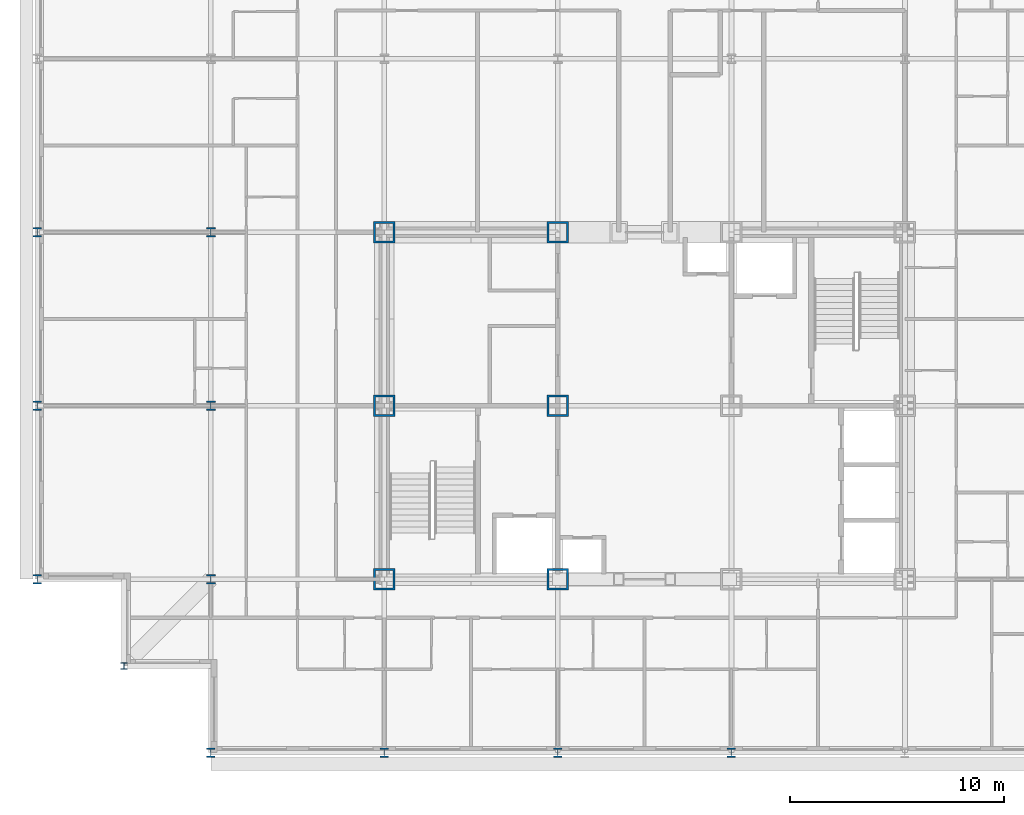
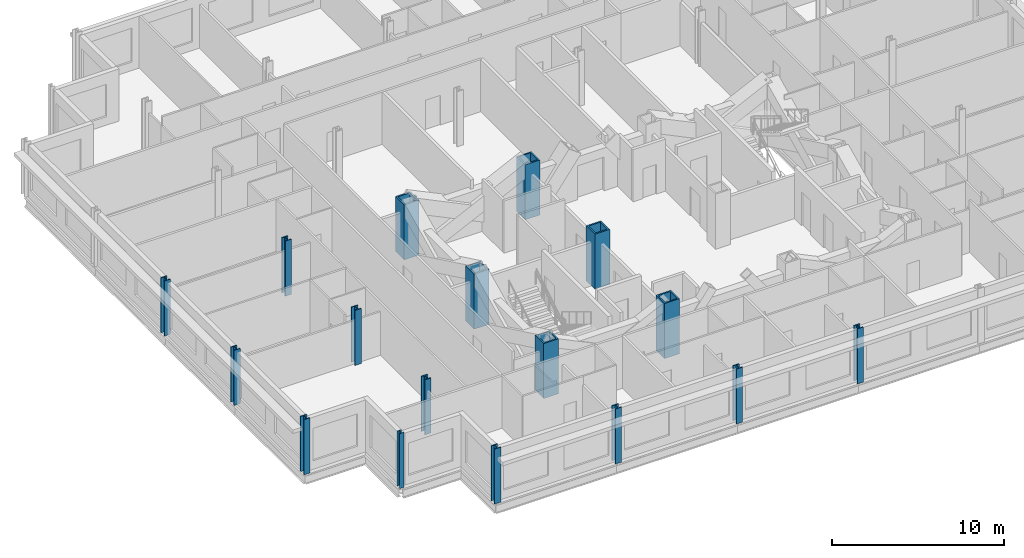
# One storey, part 1 of 15: 17 columns.
"""IFC4 building model written with IfcOpenShell, lengths in metres."""

import ifcopenshell
import ifcopenshell.guid

model = None  # the IFC model being written
_history = None  # IfcOwnerHistory: only IFC2X3 demands one
_inside = {}  # id of a spatial element -> (the spatial element, [elements in it])
_under = {}  # id of a project, library or spatial element -> (it, [spatial elements below it])
_declared = {}  # id of a project -> (the project, [libraries it declares])
_typed = {}  # id of a type object -> (the type object, [elements of that type])
_made_of = {}  # id of a material, layer set ... -> (it, [elements and type objects made of it])


def new_model(schema):
    """Start an empty IFC model of exactly this schema.

    Asked for "IFC4X3", IfcOpenShell would pick the latest addendum, in which some entities
    have other attributes; the version numbers below select the first issue.
    IFC2X3 requires an IfcOwnerHistory on every rooted entity: one is made here for all.
    """
    global model, _history
    if schema == "IFC4X3":
        model = ifcopenshell.file(schema_version=(4, 3, 0, 0))
    else:
        model = ifcopenshell.file(schema=schema)
    _inside.clear()
    _under.clear()
    _declared.clear()
    _typed.clear()
    _made_of.clear()
    _history = None
    if model.schema == "IFC2X3":
        org = make("IfcOrganization", Name="unknown")
        user = make(
            "IfcPersonAndOrganization",
            ThePerson=make("IfcPerson", FamilyName="unknown"),
            TheOrganization=org,
        )
        app = make(
            "IfcApplication",
            ApplicationDeveloper=org,
            Version="unknown",
            ApplicationFullName="unknown",
            ApplicationIdentifier="unknown",
        )
        _history = make(
            "IfcOwnerHistory",
            OwningUser=user,
            OwningApplication=app,
            ChangeAction="ADDED",
            CreationDate=0,
        )
    return model


def make(cls, **values):
    """One entity of the class cls with the attributes given. An attribute that is None is left unset."""
    return model.create_entity(
        cls, **{name: value for name, value in values.items() if value is not None}
    )


def rooted(cls, **values):
    """An entity with a GlobalId (a new one), such as an element, a storey or a relation."""
    return make(cls, GlobalId=ifcopenshell.guid.new(), OwnerHistory=_history, **values)


def si_unit(unit_type, name, prefix=None):
    """IfcSIUnit, for example si_unit("LENGTHUNIT", "METRE", prefix="MILLI")."""
    return make("IfcSIUnit", UnitType=unit_type, Prefix=prefix, Name=name)


def assignment(units):
    """IfcUnitAssignment: the units of a project."""
    return None if units is None else make("IfcUnitAssignment", Units=units)


def point(xyz):
    """IfcCartesianPoint."""
    return None if xyz is None else make("IfcCartesianPoint", Coordinates=xyz)


def direction(xyz):
    """IfcDirection."""
    return None if xyz is None else make("IfcDirection", DirectionRatios=xyz)


def frame(location, z_axis=None, x_axis=None):
    """IfcAxis2Placement3D, a coordinate frame: its origin and axes. An axis left out is left unset."""
    return make(
        "IfcAxis2Placement3D",
        Location=point(location),
        Axis=direction(z_axis),
        RefDirection=direction(x_axis),
    )


def frame_2d(location, x_axis=None):
    """IfcAxis2Placement2D, a coordinate frame in the plane: its origin and x axis."""
    return make(
        "IfcAxis2Placement2D", Location=point(location), RefDirection=direction(x_axis)
    )


def origin():
    """The frame at (0, 0, 0) with its axes left unset."""
    return frame((0.0, 0.0, 0.0))


def origin_2d():
    """The frame at (0, 0) in the plane with its x axis left unset."""
    return frame_2d((0.0, 0.0))


def place(relative_to, where):
    """IfcLocalPlacement: puts the frame where relative to a parent placement (None: the world)."""
    return make(
        "IfcLocalPlacement", PlacementRelTo=relative_to, RelativePlacement=where
    )


def context(
    kind, dimensions, precision=None, world=None, true_north=None, identifier=None
):
    """IfcGeometricRepresentationContext, for example the 3D "Model" context."""
    return make(
        "IfcGeometricRepresentationContext",
        ContextIdentifier=identifier,
        ContextType=kind,
        CoordinateSpaceDimension=dimensions,
        Precision=precision,
        WorldCoordinateSystem=world,
        TrueNorth=true_north,
    )


def subcontext(parent, identifier, kind, view, scale=None):
    """IfcGeometricRepresentationSubContext, for example "Body" below "Model"."""
    return make(
        "IfcGeometricRepresentationSubContext",
        ContextIdentifier=identifier,
        ContextType=kind,
        ParentContext=parent,
        TargetScale=scale,
        TargetView=view,
    )


def project(units=None, contexts=None):
    """IfcProject with its units and contexts."""
    return rooted(
        "IfcProject",
        Name="project",
        RepresentationContexts=contexts,
        UnitsInContext=assignment(units),
    )


def spatial(cls, under=None, at=None, **own):
    """A site, building, storey or space (cls), placed at a placement, below another one or the project."""
    s = rooted(cls, ObjectPlacement=at, **own)
    if under is not None:
        _under.setdefault(under.id(), (under, []))[1].append(s)
    return s


def profile(cls, at=None, kind="AREA", **sizes):
    """A parametric profile (cls). Its sizes go by their IFC names, for example OverallWidth=200.0."""
    return make(cls, ProfileType=kind, Position=at, **sizes)


def hollow_rectangle(**sizes):
    """IfcRectangleHollowProfileDef."""
    return profile("IfcRectangleHollowProfileDef", **sizes)


def i_section(**sizes):
    """IfcIShapeProfileDef."""
    return profile("IfcIShapeProfileDef", **sizes)


def extrude(swept, where, along, depth):
    """IfcExtrudedAreaSolid: the profile swept, set in the frame where, extruded along a direction by depth."""
    return make(
        "IfcExtrudedAreaSolid",
        SweptArea=swept,
        Position=where,
        ExtrudedDirection=direction(along),
        Depth=depth,
    )


def shape(context_of_items, identifier, shape_type, items):
    """IfcShapeRepresentation: the items that make up one representation, for example the "Body"."""
    return make(
        "IfcShapeRepresentation",
        ContextOfItems=context_of_items,
        RepresentationIdentifier=identifier,
        RepresentationType=shape_type,
        Items=items,
    )


def material(Name=None, Category=None):
    """IfcMaterial."""
    return make("IfcMaterial", Name=Name, Category=Category)


def material_profile(
    of_material, cross_section, Name=None, Category=None, Priority=None
):
    """IfcMaterialProfile: a cross section and its material."""
    return make(
        "IfcMaterialProfile",
        Name=Name,
        Material=of_material,
        Profile=cross_section,
        Priority=Priority,
        Category=Category,
    )


def profile_set(profiles, Name=None, composite=None):
    """IfcMaterialProfileSet."""
    return make(
        "IfcMaterialProfileSet",
        Name=Name,
        MaterialProfiles=profiles,
        CompositeProfile=composite,
    )


def made_of(thing, what):
    """Note that an element or type object is made of a material, layer set ...; save() writes the relation."""
    if what is not None:
        _made_of.setdefault(what.id(), (what, []))[1].append(thing)
    return thing


def type_object(cls, material=None, **own):
    """A type object (cls), such as IfcWallType, which elements share."""
    return made_of(rooted(cls, **own), material)


def element(
    cls,
    number,
    at=None,
    inside=None,
    cuts=None,
    type_object=None,
    material=None,
    context=None,
    identifier="Body",
    shape_type=None,
    held_by="IfcProductDefinitionShape",
    body=None,
    shapes=None,
    **own,
):
    """One element of the class cls, such as IfcWall. Its Tag is "e" and its number.

    at: its placement. inside: the storey or other place that contains it. cuts: it is an
    opening in that element (IfcRelVoidsElement). A single representation is given by context,
    identifier, shape_type and body (its items); several are given by shapes. held_by: the class
    of the entity that holds the representations. save() writes the other relations.
    """
    e = rooted(cls, Tag="e%d" % number, ObjectPlacement=at, **own)
    if body is not None:
        shapes = [shape(context, identifier, shape_type, body)]
    if shapes is not None:
        e.Representation = make(held_by, Representations=shapes)
    if inside is not None:
        _inside.setdefault(inside.id(), (inside, []))[1].append(e)
    if cuts is not None:
        rooted(
            "IfcRelVoidsElement", RelatingBuildingElement=cuts, RelatedOpeningElement=e
        )
    if type_object is not None:
        _typed.setdefault(type_object.id(), (type_object, []))[1].append(e)
    return made_of(e, material)


def aggregate(whole, parts):
    """IfcRelAggregates: a whole, such as a stair, and the parts it consists of."""
    return rooted("IfcRelAggregates", RelatingObject=whole, RelatedObjects=parts)


def save(model, path):
    """Write the relations noted so far, then the file.

    IfcRelAggregates (storeys below a building ...), IfcRelContainedInSpatialStructure (elements
    in a storey), IfcRelDefinesByType, IfcRelAssociatesMaterial and IfcRelDeclares: one each for
    every whole, place, type object, material and project.
    """
    for whole, parts in _under.values():
        aggregate(whole, parts)
    for where, things in _inside.values():
        rooted(
            "IfcRelContainedInSpatialStructure",
            RelatedElements=things,
            RelatingStructure=where,
        )
    for kind, things in _typed.values():
        rooted("IfcRelDefinesByType", RelatedObjects=things, RelatingType=kind)
    for what, things in _made_of.values():
        rooted("IfcRelAssociatesMaterial", RelatedObjects=things, RelatingMaterial=what)
    for by, libraries in _declared.values():
        rooted("IfcRelDeclares", RelatingContext=by, RelatedDefinitions=libraries)
    model.write(path)


model = new_model("IFC4")

# Units and contexts
model_context = context("Model", 3, precision=1e-05, world=origin(), true_north=direction((0.0, 1.0)))
body_context = subcontext(model_context, "Body", "Model", "MODEL_VIEW")
ifc_project = project(units=[si_unit("LENGTHUNIT", "METRE"), si_unit("AREAUNIT", "SQUARE_METRE"), si_unit("VOLUMEUNIT", "CUBIC_METRE"), si_unit("PLANEANGLEUNIT", "RADIAN"), si_unit("MASSUNIT", "GRAM", prefix="KILO")], contexts=[model_context])

# Site, building, storey
site_placement = place(None, origin())
site = spatial("IfcSite", under=ifc_project, at=site_placement, CompositionType="ELEMENT")
building_placement = place(site_placement, origin())
building = spatial("IfcBuilding", under=site, at=building_placement, Name="Kopane Lantern Tower", CompositionType="ELEMENT")
storey_placement = place(building_placement, frame((0.0, 0.0, 254.10009765625)))
storey = spatial("IfcBuildingStorey", under=building, at=storey_placement, Name="L65", CompositionType="ELEMENT", Elevation=254.10009765625)

# Columns
ifc_material_1 = material(Name="Steel S355JR", Category="steel")
ifc_material_profile_1 = material_profile(ifc_material_1, hollow_rectangle(XDim=1.0, YDim=1.0, WallThickness=0.10009765625, at=origin_2d()), Name="BOX 1000x1000x100")
ifc_profile_set_1 = profile_set([ifc_material_profile_1], Name="Steel S355JR")
column_type_1 = type_object("IfcColumnType", Name="COLUMN BOX 1000x1000x100", PredefinedType="COLUMN", material=ifc_profile_set_1)
for number, where, z_axis, x_axis, name in (
    (1, (16.199951171875, 24.300048828125, 0.0), (0.0, 0.0, 1.0), (1.0, 0.0, 0.0), "Column 4/E L65"),
    (2, (16.199951171875, 32.39990234375, 0.0), (0.0, 0.0, 1.0), (1.0, 0.0, 0.0), "Column 4/F L65"),
    (3, (16.199951171875, 40.5, 0.0), (0.0, 0.0, 1.0), (1.0, 0.0, 0.0), "Column 4/G L65"),
    (4, (24.300048828125, 24.300048828125, 0.0), (0.0, 0.0, 1.0), (1.0, 0.0, 0.0), "Column 5/E L65"),
    (5, (24.300048828125, 32.39990234375, 0.0), (0.0, 0.0, 1.0), (1.0, 0.0, 0.0), "Column 5/F L65"),
    (6, (24.300048828125, 40.5, 0.0), (0.0, 0.0, 1.0), (1.0, 0.0, 0.0), "Column 5/G L65"),
):
    element("IfcColumn", number, at=place(storey_placement, frame(where, z_axis=z_axis, x_axis=x_axis)), inside=storey, type_object=column_type_1, Name=name, PredefinedType="COLUMN", context=body_context, shape_type="SweptSolid", body=[
        extrude(hollow_rectangle(XDim=1.0, YDim=1.0, WallThickness=0.10009765625, at=origin_2d()), origin(), (0.0, 0.0, 1.0), 3.89990234375),
    ])
ifc_material_2 = material(Name="Steel S355JR", Category="steel")
ifc_material_profile_2 = material_profile(ifc_material_2, i_section(OverallWidth=0.307373046875, OverallDepth=0.314453125, WebThickness=0.011962890625, FlangeThickness=0.018798828125, FilletRadius=0.01513671875, at=origin_2d()), Name="UC 305x305x118")
ifc_profile_set_2 = profile_set([ifc_material_profile_2], Name="Steel S355JR")
column_type_2 = type_object("IfcColumnType", Name="COLUMN UC 305x305x118", PredefinedType="COLUMN", material=ifc_profile_set_2)
column_placement = place(storey_placement, frame((4.050048828125, 20.25, 0.0), z_axis=(0.0, 0.0, 1.0), x_axis=(1.0, 0.0, 0.0)))
element("IfcColumn", 7, at=column_placement, inside=storey, type_object=column_type_2, Name="Column 4.05/20.25 L65", PredefinedType="COLUMN", context=body_context, shape_type="SweptSolid", body=[
    extrude(i_section(OverallWidth=0.307373046875, OverallDepth=0.314453125, WebThickness=0.011962890625, FlangeThickness=0.018798828125, FilletRadius=0.01513671875, at=origin_2d()), origin(), (0.0, 0.0, 1.0), 3.89990234375),
])
ifc_material_3 = material(Name="Steel S355JR", Category="steel")
ifc_material_profile_3 = material_profile(ifc_material_3, i_section(OverallWidth=0.412109375, OverallDepth=0.4365234375, WebThickness=0.035888671875, FlangeThickness=0.05810546875, FilletRadius=0.01513671875, at=origin_2d()), Name="UC 356x406x467")
ifc_profile_set_3 = profile_set([ifc_material_profile_3], Name="Steel S355JR")
column_type_3 = type_object("IfcColumnType", Name="COLUMN UC 356x406x467", PredefinedType="COLUMN", material=ifc_profile_set_3)
for number, where, z_axis, x_axis, name in (
    (8, (0.0, 24.300048828125, 0.0), (0.0, 0.0, 1.0), (1.0, 0.0, 0.0), "Column 2/E L65"),
    (9, (0.0, 32.39990234375, 0.0), (0.0, 0.0, 1.0), (1.0, 0.0, 0.0), "Column 2/F L65"),
    (10, (0.0, 40.5, 0.0), (0.0, 0.0, 1.0), (1.0, 0.0, 0.0), "Column 2/G L65"),
    (11, (8.10009765625, 16.199951171875, 0.0), (0.0, 0.0, 1.0), (1.0, 0.0, 0.0), "Column 3/D L65"),
    (12, (16.199951171875, 16.199951171875, 0.0), (0.0, 0.0, 1.0), (1.0, 0.0, 0.0), "Column 4/D L65"),
    (13, (24.300048828125, 16.199951171875, 0.0), (0.0, 0.0, 1.0), (1.0, 0.0, 0.0), "Column 5/D L65"),
    (14, (32.39990234375, 16.199951171875, 0.0), (0.0, 0.0, 1.0), (1.0, 0.0, 0.0), "Column 6/D L65"),
):
    element("IfcColumn", number, at=place(storey_placement, frame(where, z_axis=z_axis, x_axis=x_axis)), inside=storey, type_object=column_type_3, Name=name, PredefinedType="COLUMN", context=body_context, shape_type="SweptSolid", body=[
        extrude(i_section(OverallWidth=0.412109375, OverallDepth=0.4365234375, WebThickness=0.035888671875, FlangeThickness=0.05810546875, FilletRadius=0.01513671875, at=origin_2d()), origin(), (0.0, 0.0, 1.0), 3.89990234375),
    ])
ifc_material_4 = material(Name="Steel S355JR", Category="steel")
ifc_material_profile_4 = material_profile(ifc_material_4, i_section(OverallWidth=0.41845703125, OverallDepth=0.45556640625, WebThickness=0.0419921875, FlangeThickness=0.0673828125, FilletRadius=0.01513671875, at=origin_2d()), Name="UC 356x406x551")
ifc_profile_set_4 = profile_set([ifc_material_profile_4], Name="Steel S355JR")
column_type_4 = type_object("IfcColumnType", Name="COLUMN UC 356x406x551", PredefinedType="COLUMN", material=ifc_profile_set_4)
for number, where, z_axis, x_axis, name in (
    (15, (8.10009765625, 24.300048828125, 0.0), (0.0, 0.0, 1.0), (1.0, 0.0, 0.0), "Column 3/E L65"),
    (16, (8.10009765625, 32.39990234375, 0.0), (0.0, 0.0, 1.0), (1.0, 0.0, 0.0), "Column 3/F L65"),
    (17, (8.10009765625, 40.5, 0.0), (0.0, 0.0, 1.0), (1.0, 0.0, 0.0), "Column 3/G L65"),
):
    element("IfcColumn", number, at=place(storey_placement, frame(where, z_axis=z_axis, x_axis=x_axis)), inside=storey, type_object=column_type_4, Name=name, PredefinedType="COLUMN", context=body_context, shape_type="SweptSolid", body=[
        extrude(i_section(OverallWidth=0.41845703125, OverallDepth=0.45556640625, WebThickness=0.0419921875, FlangeThickness=0.0673828125, FilletRadius=0.01513671875, at=origin_2d()), origin(), (0.0, 0.0, 1.0), 3.89990234375),
    ])

save(model, "model.ifc")
